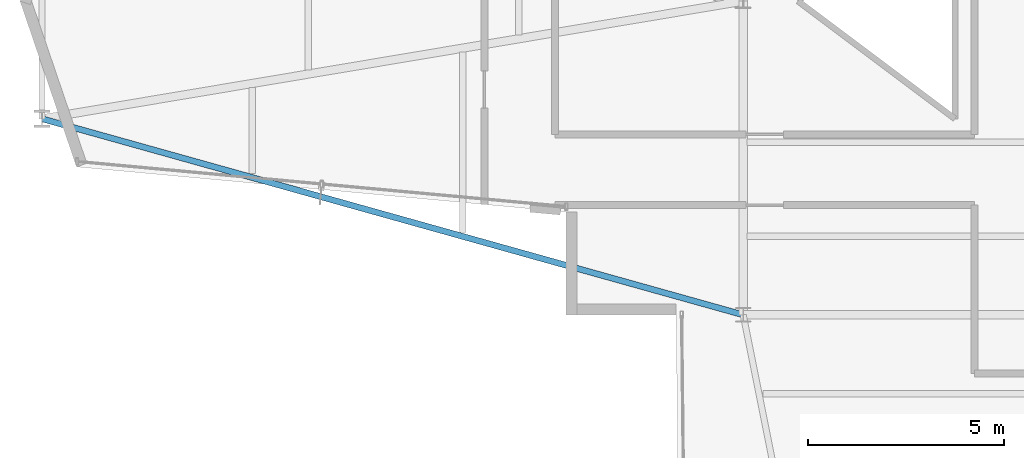
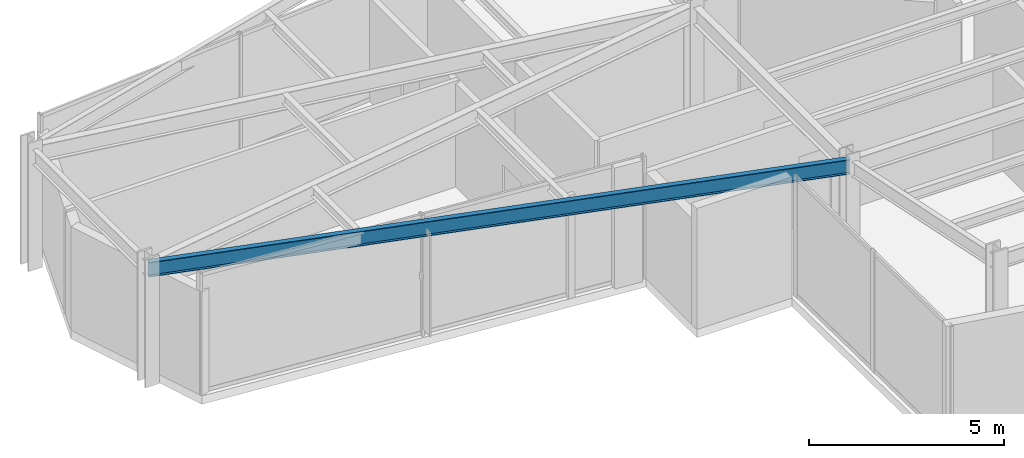
# One storey, part 3 of 22: 1 beam.
"""IFC4 building model written with IfcOpenShell, lengths in metres."""

from ifc_helpers import new_model, si_unit, direction, frame, origin, origin_2d, place, context, subcontext, project, spatial, i_section, extrude, material, material_profile, profile_set, type_object, element, save


model = new_model("IFC4")

# Units and contexts
model_context = context("Model", 3, precision=1e-05, world=origin(), true_north=direction((0.0, 1.0)))
body_context = subcontext(model_context, "Body", "Model", "MODEL_VIEW")
ifc_project = project(units=[si_unit("LENGTHUNIT", "METRE"), si_unit("AREAUNIT", "SQUARE_METRE"), si_unit("VOLUMEUNIT", "CUBIC_METRE"), si_unit("PLANEANGLEUNIT", "RADIAN"), si_unit("MASSUNIT", "GRAM", prefix="KILO")], contexts=[model_context])

# Site, building, storey
site_placement = place(None, origin())
site = spatial("IfcSite", under=ifc_project, at=site_placement, CompositionType="ELEMENT")
building_placement = place(site_placement, origin())
building = spatial("IfcBuilding", under=site, at=building_placement, Name="Veymaron Broadcast Tower", CompositionType="ELEMENT")
storey_placement = place(building_placement, frame((0.0, 0.0, 204.0)))
storey = spatial("IfcBuildingStorey", under=building, at=storey_placement, Name="L47", CompositionType="ELEMENT", Elevation=204.0)

# Beam
ifc_material = material(Name="Structural steel ASTM A992 Gr 50", Category="steel")
ifc_material_profile = material_profile(ifc_material, i_section(OverallWidth=0.154052734375, OverallDepth=0.458984375, WebThickness=0.009033203125, FlangeThickness=0.015380859375, at=origin_2d()), Name="W460X68")
ifc_profile_set = profile_set([ifc_material_profile], Name="Structural steel ASTM A992 Gr 50")
beam_type = type_object("IfcBeamType", Name="BM-SP2", PredefinedType="SPANDREL", material=ifc_profile_set)
beam_placement = place(storey_placement, frame((13.320068359375, 21.0, 3.560546875), z_axis=(0.963053012566, -0.269311891656, 0.0), x_axis=(0.269311891656, 0.963053012566, 0.0)))
element("IfcBeam", 1, at=beam_placement, inside=storey, type_object=beam_type, Name="L47 primary structural floor girder", PredefinedType="SPANDREL", context=body_context, shape_type="SweptSolid", body=[
    extrude(i_section(OverallWidth=0.154052734375, OverallDepth=0.458984375, WebThickness=0.009033203125, FlangeThickness=0.015380859375, at=origin_2d()), origin(), (0.0, 0.0, 1.0), 18.56591796875),
])

save(model, "model.ifc")
